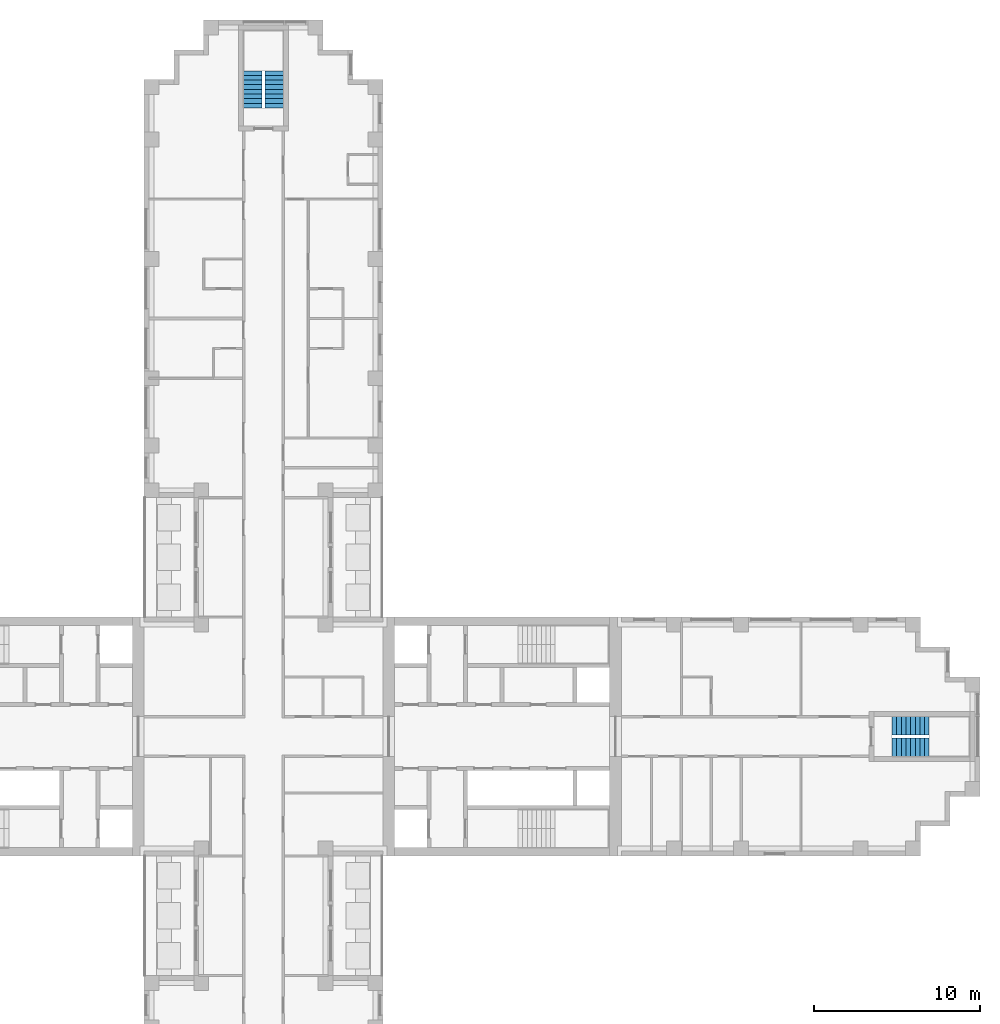
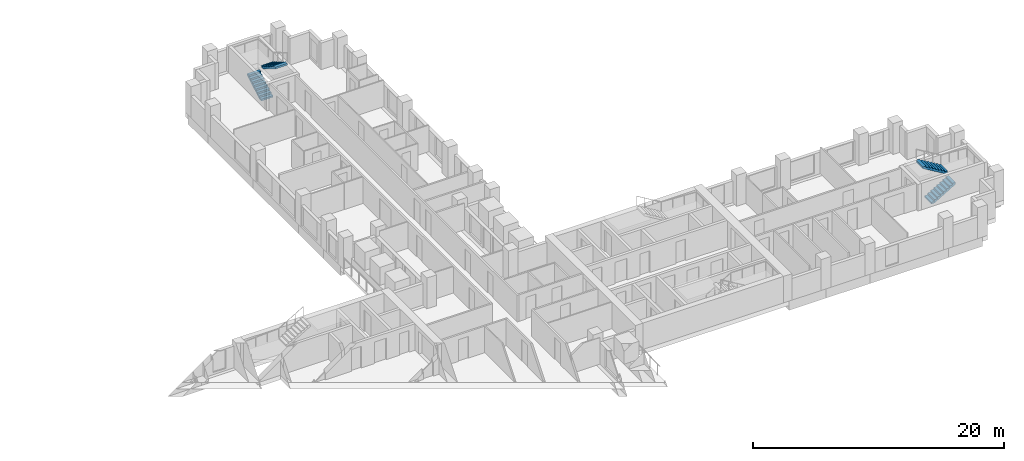
# One storey, part 13 of 15: 4 stair flights, 2 elements without a shape of their own.
"""IFC4 building model written with IfcOpenShell, lengths in metres."""

from ifc_helpers import new_model, si_unit, direction, frame, origin, place, context, subcontext, project, spatial, polyline, outline, extrude, material, type_object, element, aggregate, save


model = new_model("IFC4")

# Units and contexts
model_context = context("Model", 3, precision=1e-05, world=origin(), true_north=direction((0.0, 1.0)))
body_context = subcontext(model_context, "Body", "Model", "MODEL_VIEW")
ifc_project = project(units=[si_unit("LENGTHUNIT", "METRE"), si_unit("AREAUNIT", "SQUARE_METRE"), si_unit("VOLUMEUNIT", "CUBIC_METRE"), si_unit("PLANEANGLEUNIT", "RADIAN"), si_unit("MASSUNIT", "GRAM", prefix="KILO")], contexts=[model_context])

# Site, building, storey
site_placement = place(None, origin())
site = spatial("IfcSite", under=ifc_project, at=site_placement, CompositionType="ELEMENT")
building_placement = place(site_placement, origin())
building = spatial("IfcBuilding", under=site, at=building_placement, Name="Fustian Cross Tower", CompositionType="ELEMENT")
storey_placement = place(building_placement, frame((0.0, 0.0, 47.699951171875)))
storey = spatial("IfcBuildingStorey", under=building, at=storey_placement, Name="L14", CompositionType="ELEMENT", Elevation=47.699951171875)

# Stair, stair flights
ifc_material_1 = material(Name="Concrete C50/60", Category="concrete")
stair_type = type_object("IfcStairType", Name="STAIR 1100 HALF TURN", PredefinedType="HALF_TURN_STAIR", material=ifc_material_1)
stair_1_placement = place(storey_placement, origin())
stair_1 = element("IfcStair", 1, at=stair_1_placement, inside=storey, type_object=stair_type, Name="Stair ST5", PredefinedType="HALF_TURN_STAIR")
ifc_material_2 = material(Name="Concrete C50/60", Category="concrete")
stair_flight_type = type_object("IfcStairFlightType", Name="STAIR FLIGHT 1100", PredefinedType="STRAIGHT", material=ifc_material_2)
stair_flight_1_placement = place(storey_placement, frame((-0.64990234375, 37.89990234375, 0.0), z_axis=(0.0, 0.0, 1.0), x_axis=(0.0, 1.0, 0.0)))
stair_flight_1 = element("IfcStairFlight", 2, at=stair_flight_1_placement, type_object=stair_flight_type, Name="ST5 flight 1", NumberOfRisers=9, NumberOfTreads=8, PredefinedType="STRAIGHT", RiserHeight=0.166666667, TreadLength=0.28, context=body_context, shape_type="SweptSolid", body=[
    extrude(outline(polyline([(0.0, 0.0), (0.0, 0.166748046875), (0.280029296875, 0.166748046875), (0.280029296875, 0.333251953125), (0.56005859375, 0.333251953125), (0.56005859375, 0.5), (0.840087890625, 0.5), (0.840087890625, 0.666748046875), (1.1201171875, 0.666748046875), (1.1201171875, 0.833251953125), (1.39990234375, 0.833251953125), (1.39990234375, 1.0), (1.679931640625, 1.0), (1.679931640625, 1.166748046875), (1.9599609375, 1.166748046875), (1.9599609375, 1.333251953125), (2.239990234375, 1.333251953125), (2.239990234375, 1.5), (2.239990234375, 1.158935546875), (0.29296875, 0.0), (0.0, 0.0)])), frame((0.0, 0.550048828125, 0.0), z_axis=(0.0, -1.0, 0.0), x_axis=(1.0, 0.0, 0.0)), (0.0, 0.0, 1.0), 1.10009765625),
])
stair_flight_2_placement = place(storey_placement, frame((0.64990234375, 40.139892578125, 1.5), z_axis=(0.0, 0.0, 1.0), x_axis=(0.0, -1.0, 0.0)))
stair_flight_2 = element("IfcStairFlight", 3, at=stair_flight_2_placement, type_object=stair_flight_type, Name="ST5 flight 2", NumberOfRisers=9, NumberOfTreads=8, PredefinedType="STRAIGHT", RiserHeight=0.166666667, TreadLength=0.28, context=body_context, shape_type="SweptSolid", body=[
    extrude(outline(polyline([(0.0, 0.0), (0.0, 0.166748046875), (0.280029296875, 0.166748046875), (0.280029296875, 0.333251953125), (0.56005859375, 0.333251953125), (0.56005859375, 0.5), (0.840087890625, 0.5), (0.840087890625, 0.666748046875), (1.1201171875, 0.666748046875), (1.1201171875, 0.833251953125), (1.39990234375, 0.833251953125), (1.39990234375, 1.0), (1.679931640625, 1.0), (1.679931640625, 1.166748046875), (1.9599609375, 1.166748046875), (1.9599609375, 1.333251953125), (2.239990234375, 1.333251953125), (2.239990234375, 1.5), (2.239990234375, 1.158935546875), (0.29296875, 0.0), (0.0, 0.0)])), frame((0.0, 0.550048828125, 0.0), z_axis=(0.0, -1.0, 0.0), x_axis=(1.0, 0.0, 0.0)), (0.0, 0.0, 1.0), 1.10009765625),
])
aggregate(stair_1, [stair_flight_1, stair_flight_2])

stair_2_placement = place(storey_placement, origin())
stair_2 = element("IfcStair", 4, at=stair_2_placement, inside=storey, type_object=stair_type, Name="Stair ST8", PredefinedType="HALF_TURN_STAIR")
stair_flight_3_placement = place(storey_placement, frame((37.89990234375, -0.64990234375, 0.0), z_axis=(0.0, 0.0, 1.0), x_axis=(1.0, 0.0, 0.0)))
stair_flight_3 = element("IfcStairFlight", 5, at=stair_flight_3_placement, type_object=stair_flight_type, Name="ST8 flight 1", NumberOfRisers=9, NumberOfTreads=8, PredefinedType="STRAIGHT", RiserHeight=0.166666667, TreadLength=0.28, context=body_context, shape_type="SweptSolid", body=[
    extrude(outline(polyline([(0.0, 0.0), (0.0, 0.166748046875), (0.280029296875, 0.166748046875), (0.280029296875, 0.333251953125), (0.56005859375, 0.333251953125), (0.56005859375, 0.5), (0.840087890625, 0.5), (0.840087890625, 0.666748046875), (1.1201171875, 0.666748046875), (1.1201171875, 0.833251953125), (1.39990234375, 0.833251953125), (1.39990234375, 1.0), (1.679931640625, 1.0), (1.679931640625, 1.166748046875), (1.9599609375, 1.166748046875), (1.9599609375, 1.333251953125), (2.239990234375, 1.333251953125), (2.239990234375, 1.5), (2.239990234375, 1.158935546875), (0.29296875, 0.0), (0.0, 0.0)])), frame((0.0, 0.550048828125, 0.0), z_axis=(0.0, -1.0, 0.0), x_axis=(1.0, 0.0, 0.0)), (0.0, 0.0, 1.0), 1.10009765625),
])
stair_flight_4_placement = place(storey_placement, frame((40.139892578125, 0.64990234375, 1.5), z_axis=(0.0, 0.0, 1.0), x_axis=(-1.0, 0.0, 0.0)))
stair_flight_4 = element("IfcStairFlight", 6, at=stair_flight_4_placement, type_object=stair_flight_type, Name="ST8 flight 2", NumberOfRisers=9, NumberOfTreads=8, PredefinedType="STRAIGHT", RiserHeight=0.166666667, TreadLength=0.28, context=body_context, shape_type="SweptSolid", body=[
    extrude(outline(polyline([(0.0, 0.0), (0.0, 0.166748046875), (0.280029296875, 0.166748046875), (0.280029296875, 0.333251953125), (0.56005859375, 0.333251953125), (0.56005859375, 0.5), (0.840087890625, 0.5), (0.840087890625, 0.666748046875), (1.1201171875, 0.666748046875), (1.1201171875, 0.833251953125), (1.39990234375, 0.833251953125), (1.39990234375, 1.0), (1.679931640625, 1.0), (1.679931640625, 1.166748046875), (1.9599609375, 1.166748046875), (1.9599609375, 1.333251953125), (2.239990234375, 1.333251953125), (2.239990234375, 1.5), (2.239990234375, 1.158935546875), (0.29296875, 0.0), (0.0, 0.0)])), frame((0.0, 0.550048828125, 0.0), z_axis=(0.0, -1.0, 0.0), x_axis=(1.0, 0.0, 0.0)), (0.0, 0.0, 1.0), 1.10009765625),
])
aggregate(stair_2, [stair_flight_3, stair_flight_4])

save(model, "model.ifc")
